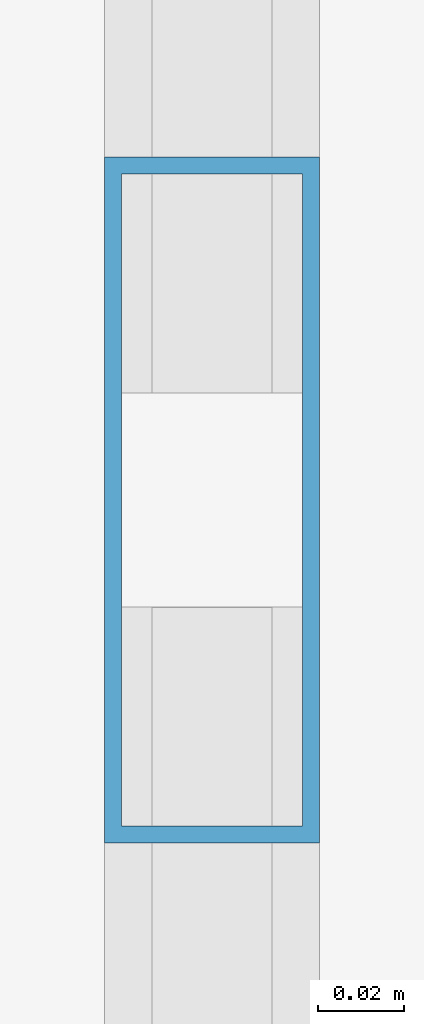
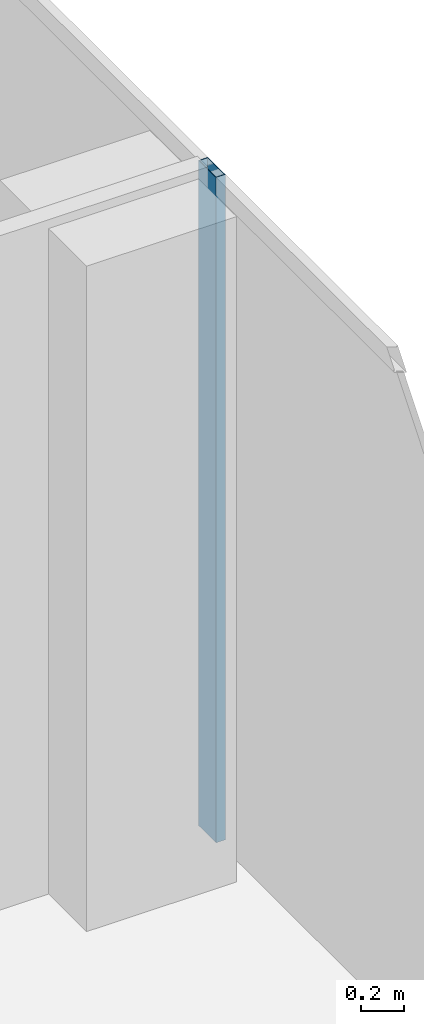
# One storey, part 12 of 29: 1 member, 1 element without a shape of its own.
"""IFC4 building model written with IfcOpenShell, lengths in metres."""

from ifc_helpers import new_model, si_unit, direction, frame, origin, origin_2d, place, context, subcontext, project, spatial, hollow_rectangle, extrude, source, transform, mapped, material, material_profile, profile_set, type_object, element, aggregate, save


model = new_model("IFC4")

# Units and contexts
model_context = context("Model", 3, precision=1e-05, world=origin(), true_north=direction((0.0, 1.0)))
body_context = subcontext(model_context, "Body", "Model", "MODEL_VIEW")
ifc_project = project(units=[si_unit("LENGTHUNIT", "METRE"), si_unit("AREAUNIT", "SQUARE_METRE"), si_unit("VOLUMEUNIT", "CUBIC_METRE"), si_unit("PLANEANGLEUNIT", "RADIAN"), si_unit("MASSUNIT", "GRAM", prefix="KILO")], contexts=[model_context])

# Site, building, storey
site_placement = place(None, origin())
site = spatial("IfcSite", under=ifc_project, at=site_placement, CompositionType="ELEMENT")
building_placement = place(site_placement, origin())
building = spatial("IfcBuilding", under=site, at=building_placement, Name="Khomas Fold Tower", CompositionType="ELEMENT")
storey_placement = place(building_placement, frame((0.0, 0.0, 290.199951171875)))
storey = spatial("IfcBuildingStorey", under=building, at=storey_placement, Name="L65", CompositionType="ELEMENT", Elevation=290.199951171875)

# Curtain wall, member
ifc_material_1 = material(Name="Aluminium framed double glazing", Category="aluminium")
curtain_wall_type = type_object("IfcCurtainWallType", Name="SK-Unitised clear-glass wall, upper floors CW3", PredefinedType="NOTDEFINED", material=ifc_material_1)
curtain_wall_placement = place(storey_placement, origin())
curtain_wall = element("IfcCurtainWall", 1, at=curtain_wall_placement, inside=storey, type_object=curtain_wall_type, Name="CW3 run L65 03-1", PredefinedType="NOTDEFINED")
ifc_material_2 = material(Name="Aluminium", Category="aluminium")
ifc_material_profile = material_profile(ifc_material_2, hollow_rectangle(XDim=0.050048828125, YDim=0.159912109375, WallThickness=0.00390625, at=origin_2d()), Name="SK-Unitised clear-glass wall, upper floors mullion CW3-M")
ifc_profile_set = profile_set([ifc_material_profile], Name="Aluminium")
member_type = type_object("IfcMemberType", Name="SK-Unitised clear-glass wall, upper floors mullion CW3-M", PredefinedType="MULLION", material=ifc_profile_set)
shared_shape = source(origin(), body_context, "Body", "SweptSolid", [
    extrude(hollow_rectangle(XDim=0.050048828125, YDim=0.159912109375, WallThickness=0.00390625, at=origin_2d()), origin(), (0.0, 0.0, 1.0), 3.75),
])
member_placement = place(storey_placement, frame((47.89990234375, 34.5, 0.0), z_axis=(0.0, 0.0, 1.0), x_axis=(-1.0, 0.0, 0.0)))
member = element("IfcMember", 2, at=member_placement, type_object=member_type, Name="CW3 mullion 3", PredefinedType="MULLION", context=body_context, shape_type="MappedRepresentation", body=[
    mapped(shared_shape, transform((0.0, 0.0, 0.0))),
])
aggregate(curtain_wall, [member])

save(model, "model.ifc")
